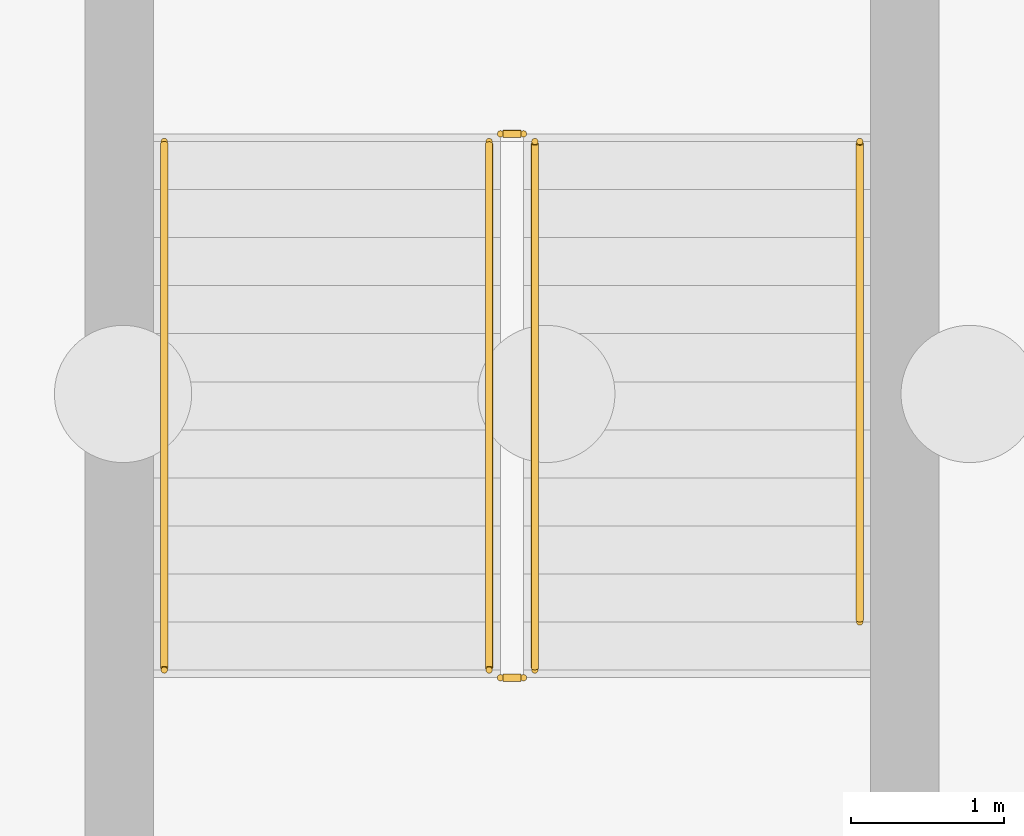
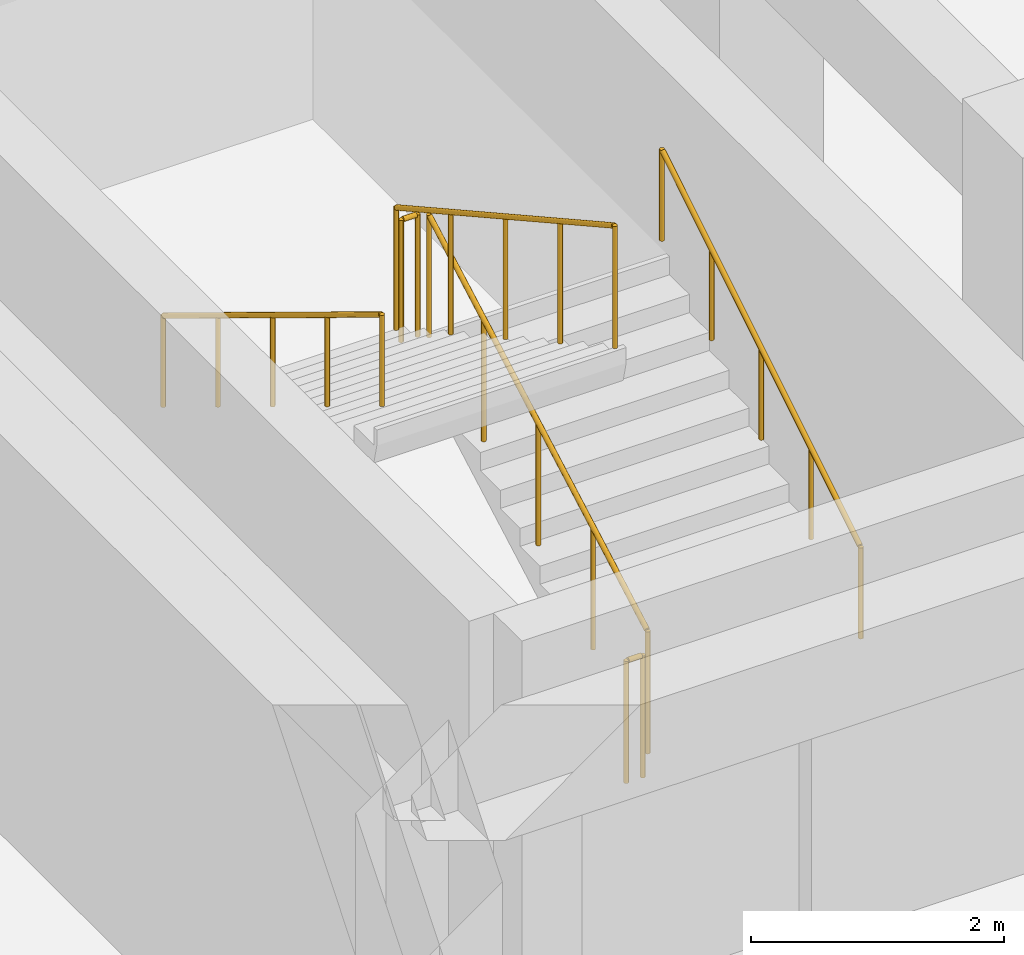
# One storey, part 32 of 39: 6 railings.
"""IFC4 building model written with IfcOpenShell, lengths in metres."""

from ifc_helpers import new_model, si_unit, direction, frame, origin, origin_2d, place, context, subcontext, project, spatial, circle, extrude, material, type_object, element, save


model = new_model("IFC4")

# Units and contexts
model_context = context("Model", 3, precision=1e-05, world=origin(), true_north=direction((0.0, 1.0)))
body_context = subcontext(model_context, "Body", "Model", "MODEL_VIEW")
ifc_project = project(units=[si_unit("LENGTHUNIT", "METRE"), si_unit("AREAUNIT", "SQUARE_METRE"), si_unit("VOLUMEUNIT", "CUBIC_METRE"), si_unit("PLANEANGLEUNIT", "RADIAN"), si_unit("MASSUNIT", "GRAM", prefix="KILO")], contexts=[model_context])

# Site, building, storey
site_placement = place(None, origin())
site = spatial("IfcSite", under=ifc_project, at=site_placement, CompositionType="ELEMENT")
building_placement = place(site_placement, origin())
building = spatial("IfcBuilding", under=site, at=building_placement, Name="Nakhvara Creek Congress Hotel", CompositionType="ELEMENT")
storey_placement = place(building_placement, frame((0.0, 0.0, -8.39990234375)))
storey = spatial("IfcBuildingStorey", under=building, at=storey_placement, Name="B2", CompositionType="ELEMENT", Elevation=-8.39990234375)

# Railings
ifc_material = material(Name="Brushed stainless steel 316L", Category="steel")
railing_type_1 = type_object("IfcRailingType", Name="RL-GUARD-1200", PredefinedType="GUARDRAIL", material=ifc_material)
railing_1_placement = place(storey_placement, frame((4.875, 75.679931640625, 0.1748046875)))
element("IfcRailing", 1, at=railing_1_placement, inside=storey, type_object=railing_type_1, Name="B2 ST07 stair guard 1", PredefinedType="GUARDRAIL", context=body_context, shape_type="SweptSolid", body=[
    extrude(circle(Radius=0.02392578125, at=origin_2d()), frame((0.0, 0.012939453125, 1.18310546875), z_axis=(0.0, 0.874157276122, 0.485642931179), x_axis=(-1.0, 0.0, 0.0)), (0.0, 0.0, 1.0), 3.9345703125),
    extrude(circle(Radius=0.02099609375, at=origin_2d()), origin(), (0.0, 0.0, 1.0), 1.1806640625),
    extrude(circle(Radius=0.02099609375, at=origin_2d()), frame((0.0, 0.8662109375, 0.481201171875)), (0.0, 0.0, 1.0), 1.1806640625),
    extrude(circle(Radius=0.02099609375, at=origin_2d()), frame((0.0, 1.732421875, 0.96240234375)), (0.0, 0.0, 1.0), 1.1806640625),
    extrude(circle(Radius=0.02099609375, at=origin_2d()), frame((0.0, 2.598876953125, 1.44384765625)), (0.0, 0.0, 1.0), 1.1806640625),
    extrude(circle(Radius=0.02099609375, at=origin_2d()), frame((0.0, 3.465087890625, 1.925048828125)), (0.0, 0.0, 1.0), 1.1806640625),
])
railing_2_placement = place(storey_placement, frame((4.800048828125, 79.195068359375, 2.099853515625)))
element("IfcRailing", 2, at=railing_2_placement, inside=storey, type_object=railing_type_1, Name="B2 ST07 stair guard 2", PredefinedType="GUARDRAIL", context=body_context, shape_type="SweptSolid", body=[
    extrude(circle(Radius=0.02392578125, at=origin_2d()), frame((-0.0146484375, 0.0, 1.17578125), z_axis=(-1.0, 0.0, 0.0), x_axis=(0.0, -1.0, 0.0)), (0.0, 0.0, 1.0), 0.120849609375),
    extrude(circle(Radius=0.02099609375, at=origin_2d()), origin(), (0.0, 0.0, 1.0), 1.1806640625),
    extrude(circle(Radius=0.02099609375, at=origin_2d()), frame((-0.150146484375, 0.0, 0.0)), (0.0, 0.0, 1.0), 1.1806640625),
])
railing_3_placement = place(storey_placement, frame((4.574951171875, 79.14501953125, 2.27490234375)))
element("IfcRailing", 3, at=railing_3_placement, inside=storey, type_object=railing_type_1, Name="B2 ST07 stair guard 3", PredefinedType="GUARDRAIL", context=body_context, shape_type="SweptSolid", body=[
    extrude(circle(Radius=0.02392578125, at=origin_2d()), frame((0.0, -0.012939453125, 1.18310546875), z_axis=(0.0, -0.874157276122, 0.485642931179), x_axis=(1.0, 0.0, 0.0)), (0.0, 0.0, 1.0), 3.9345703125),
    extrude(circle(Radius=0.02099609375, at=origin_2d()), origin(), (0.0, 0.0, 1.0), 1.1806640625),
    extrude(circle(Radius=0.02099609375, at=origin_2d()), frame((0.0, -0.8662109375, 0.481201171875)), (0.0, 0.0, 1.0), 1.1806640625),
    extrude(circle(Radius=0.02099609375, at=origin_2d()), frame((0.0, -1.732421875, 0.96240234375)), (0.0, 0.0, 1.0), 1.1806640625),
    extrude(circle(Radius=0.02099609375, at=origin_2d()), frame((0.0, -2.598876953125, 1.44384765625)), (0.0, 0.0, 1.0), 1.1806640625),
    extrude(circle(Radius=0.02099609375, at=origin_2d()), frame((0.0, -3.465087890625, 1.925048828125)), (0.0, 0.0, 1.0), 1.1806640625),
])
railing_4_placement = place(storey_placement, frame((4.800048828125, 75.6298828125, 0.0)))
element("IfcRailing", 4, at=railing_4_placement, inside=storey, type_object=railing_type_1, Name="B2 ST07 stair guard 4", PredefinedType="GUARDRAIL", context=body_context, shape_type="SweptSolid", body=[
    extrude(circle(Radius=0.02392578125, at=origin_2d()), frame((-0.0146484375, 0.0, 1.17578125), z_axis=(-1.0, 0.0, 0.0), x_axis=(0.0, -1.0, 0.0)), (0.0, 0.0, 1.0), 0.120849609375),
    extrude(circle(Radius=0.02099609375, at=origin_2d()), origin(), (0.0, 0.0, 1.0), 1.1806640625),
    extrude(circle(Radius=0.02099609375, at=origin_2d()), frame((-0.150146484375, 0.0, 0.0)), (0.0, 0.0, 1.0), 1.1806640625),
])
railing_type_2 = type_object("IfcRailingType", Name="RL-HAND-900", PredefinedType="HANDRAIL", material=ifc_material)
railing_5_placement = place(storey_placement, frame((7.0048828125, 75.9951171875, 0.349853515625)))
element("IfcRailing", 5, at=railing_5_placement, inside=storey, type_object=railing_type_2, Name="B2 ST07 stair handrail 1", PredefinedType="HANDRAIL", context=body_context, shape_type="SweptSolid", body=[
    extrude(circle(Radius=0.02392578125, at=origin_2d()), frame((0.0, 0.012451171875, 0.883544921875), z_axis=(0.0, 0.85194385619, 0.523633140567), x_axis=(-1.0, 0.0, 0.0)), (0.0, 0.0, 1.0), 3.66796875),
    extrude(circle(Radius=0.02099609375, at=origin_2d()), origin(), (0.0, 0.0, 1.0), 0.880615234375),
    extrude(circle(Radius=0.02099609375, at=origin_2d()), frame((0.0, 0.78759765625, 0.48388671875)), (0.0, 0.0, 1.0), 0.880615234375),
    extrude(circle(Radius=0.02099609375, at=origin_2d()), frame((0.0, 1.574951171875, 0.968017578125)), (0.0, 0.0, 1.0), 0.880615234375),
    extrude(circle(Radius=0.02099609375, at=origin_2d()), frame((0.0, 2.3623046875, 1.4521484375)), (0.0, 0.0, 1.0), 0.880615234375),
    extrude(circle(Radius=0.02099609375, at=origin_2d()), frame((0.0, 3.14990234375, 1.93603515625)), (0.0, 0.0, 1.0), 0.880615234375),
])
railing_6_placement = place(storey_placement, frame((2.445068359375, 79.14501953125, 2.27490234375)))
element("IfcRailing", 6, at=railing_6_placement, inside=storey, type_object=railing_type_2, Name="B2 ST07 stair handrail 2", PredefinedType="HANDRAIL", context=body_context, shape_type="SweptSolid", body=[
    extrude(circle(Radius=0.02392578125, at=origin_2d()), frame((0.0, -0.012451171875, 0.883544921875), z_axis=(0.0, -0.853990507121, 0.520288586985), x_axis=(1.0, 0.0, 0.0)), (0.0, 0.0, 1.0), 4.028076171875),
    extrude(circle(Radius=0.02099609375, at=origin_2d()), origin(), (0.0, 0.0, 1.0), 0.880615234375),
    extrude(circle(Radius=0.02099609375, at=origin_2d()), frame((0.0, -0.8662109375, 0.52783203125)), (0.0, 0.0, 1.0), 0.880615234375),
    extrude(circle(Radius=0.02099609375, at=origin_2d()), frame((0.0, -1.732421875, 1.0556640625)), (0.0, 0.0, 1.0), 0.880615234375),
    extrude(circle(Radius=0.02099609375, at=origin_2d()), frame((0.0, -2.598876953125, 1.583251953125)), (0.0, 0.0, 1.0), 0.880615234375),
    extrude(circle(Radius=0.02099609375, at=origin_2d()), frame((0.0, -3.465087890625, 2.111083984375)), (0.0, 0.0, 1.0), 0.880615234375),
])

save(model, "model.ifc")
